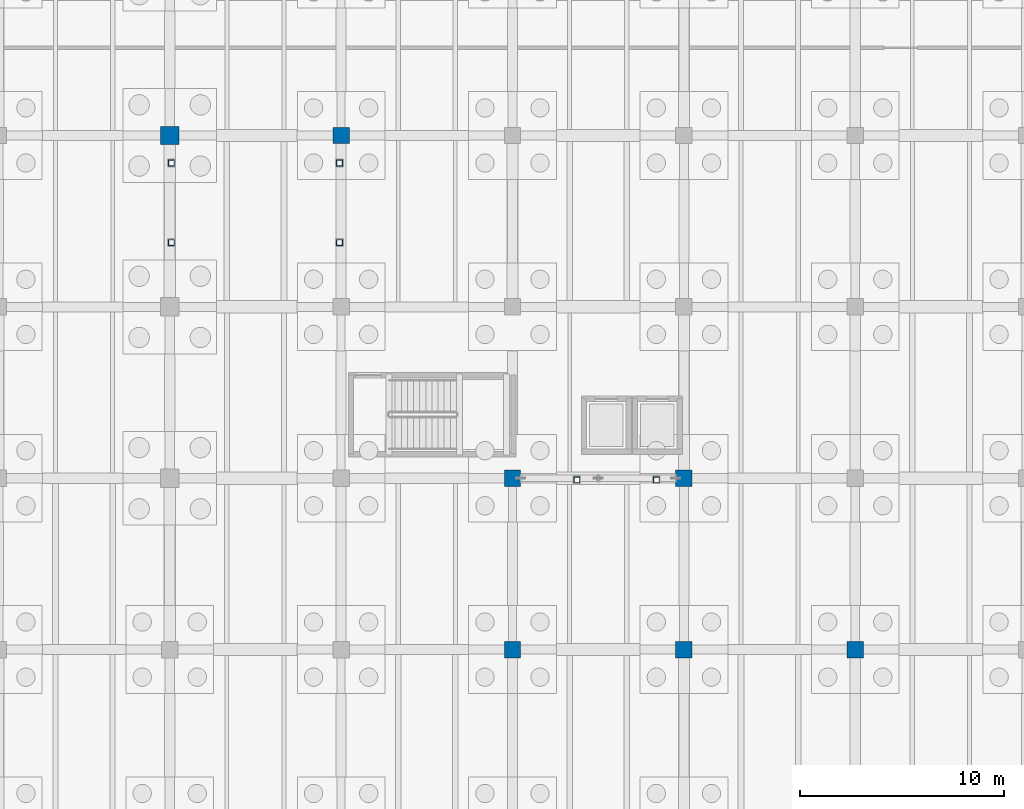
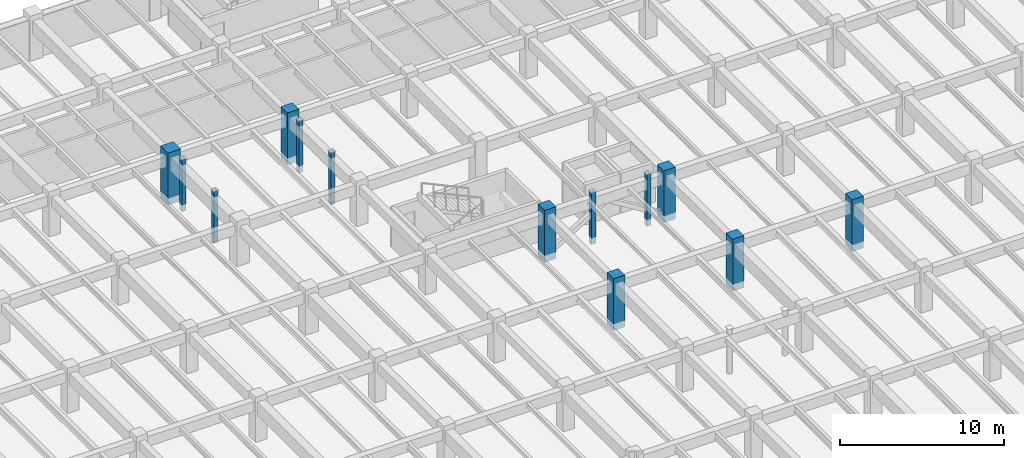
# One storey, part 20 of 70: 13 columns.
"""IFC4 building model written with IfcOpenShell, lengths in metres."""

from ifc_helpers import new_model, si_unit, direction, frame, origin, origin_2d, place, context, subcontext, project, spatial, rectangle, hollow_rectangle, extrude, material, material_profile, profile_set, type_object, element, save


model = new_model("IFC4")

# Units and contexts
model_context = context("Model", 3, precision=1e-05, world=origin(), true_north=direction((0.0, 1.0)))
body_context = subcontext(model_context, "Body", "Model", "MODEL_VIEW")
ifc_project = project(units=[si_unit("LENGTHUNIT", "METRE"), si_unit("AREAUNIT", "SQUARE_METRE"), si_unit("VOLUMEUNIT", "CUBIC_METRE"), si_unit("PLANEANGLEUNIT", "RADIAN"), si_unit("MASSUNIT", "GRAM", prefix="KILO")], contexts=[model_context])

# Site, building, storey
site_placement = place(None, origin())
site = spatial("IfcSite", under=ifc_project, at=site_placement, CompositionType="ELEMENT")
building_placement = place(site_placement, origin())
building = spatial("IfcBuilding", under=site, at=building_placement, Name="Cumbredor Promenade Congress Hotel", CompositionType="ELEMENT")
storey_placement = place(building_placement, frame((0.0, 0.0, -7.56005859375)))
storey = spatial("IfcBuildingStorey", under=building, at=storey_placement, Name="B02", CompositionType="ELEMENT", Elevation=-7.56005859375)

# Columns
ifc_material_1 = material(Name="Concrete C50/60", Category="concrete")
ifc_material_profile_1 = material_profile(ifc_material_1, rectangle(XDim=0.800048828125, YDim=0.800048828125, at=origin_2d()), Name="RC 800x800")
ifc_profile_set_1 = profile_set([ifc_material_profile_1], Name="Concrete C50/60")
column_type_1 = type_object("IfcColumnType", Name="COL-RC-800", PredefinedType="COLUMN", material=ifc_profile_set_1)
for number, where, z_axis, x_axis, name in (
    (1, (92.39990234375, 100.800048828125, -0.5), (0.0, 0.0, 1.0), (1.0, 0.0, 0.0), "B02 Structural Column 153"),
    (2, (100.800048828125, 75.60009765625, -0.5), (0.0, 0.0, 1.0), (1.0, 0.0, 0.0), "B02 Structural Column 164"),
    (3, (100.800048828125, 84.0, -0.5), (0.0, 0.0, 1.0), (1.0, 0.0, 0.0), "B02 Structural Column 165"),
    (4, (109.199951171875, 75.60009765625, -0.5), (0.0, 0.0, 1.0), (1.0, 0.0, 0.0), "B02 Structural Column 178"),
    (5, (109.199951171875, 84.0, -0.5), (0.0, 0.0, 1.0), (1.0, 0.0, 0.0), "B02 Structural Column 179"),
    (6, (117.60009765625, 75.60009765625, -0.5), (0.0, 0.0, 1.0), (1.0, 0.0, 0.0), "B02 Structural Column 192"),
):
    element("IfcColumn", number, at=place(storey_placement, frame(where, z_axis=z_axis, x_axis=x_axis)), inside=storey, type_object=column_type_1, Name=name, PredefinedType="COLUMN", context=body_context, shape_type="SweptSolid", body=[
        extrude(rectangle(XDim=0.800048828125, YDim=0.800048828125, at=origin_2d()), origin(), (0.0, 0.0, 1.0), 3.860107421875),
    ])
ifc_material_profile_2 = material_profile(ifc_material_1, rectangle(XDim=0.89990234375, YDim=0.89990234375, at=origin_2d()), Name="RC 900x900")
ifc_profile_set_2 = profile_set([ifc_material_profile_2], Name="Concrete C50/60")
column_type_2 = type_object("IfcColumnType", Name="COL-RC-900", PredefinedType="COLUMN", material=ifc_profile_set_2)
column_placement = place(storey_placement, frame((84.0, 100.800048828125, -0.5), z_axis=(0.0, 0.0, 1.0), x_axis=(1.0, 0.0, 0.0)))
element("IfcColumn", 7, at=column_placement, inside=storey, type_object=column_type_2, Name="B02 Structural Column 139", PredefinedType="COLUMN", context=body_context, shape_type="SweptSolid", body=[
    extrude(rectangle(XDim=0.89990234375, YDim=0.89990234375, at=origin_2d()), origin(), (0.0, 0.0, 1.0), 3.860107421875),
])
ifc_material_2 = material(Name="Steel ASTM A500 Grade C", Category="steel")
ifc_material_profile_3 = material_profile(ifc_material_2, hollow_rectangle(XDim=0.300048828125, YDim=0.300048828125, WallThickness=0.01611328125, at=origin_2d()), Name="HSS 300x300x16")
ifc_profile_set_3 = profile_set([ifc_material_profile_3], Name="Steel ASTM A500 Grade C")
column_type_3 = type_object("IfcColumnType", Name="COL-STL-HSS300", PredefinedType="COLUMN", material=ifc_profile_set_3)
for number, where, z_axis, x_axis, name in (
    (8, (103.949951171875, 83.919921875, -0.5), (0.0, 0.0, 1.0), (1.0, 0.0, 0.0), "Central Reflecting-Pool Promenade Bridge B02 Substructure Pier 3"),
    (9, (107.85009765625, 83.919921875, -0.5), (0.0, 0.0, 1.0), (1.0, 0.0, 0.0), "Central Reflecting-Pool Promenade Bridge B02 Substructure Pier 4"),
    (10, (84.080078125, 95.550048828125, -0.5), (0.0, 0.0, 1.0), (1.0, 0.0, 0.0), "North Hotel-to-Forum Glazed Bridge B02 Substructure Pier 1"),
    (11, (84.080078125, 99.449951171875, -0.5), (0.0, 0.0, 1.0), (1.0, 0.0, 0.0), "North Hotel-to-Forum Glazed Bridge B02 Substructure Pier 2"),
    (12, (92.320068359375, 95.550048828125, -0.5), (0.0, 0.0, 1.0), (1.0, 0.0, 0.0), "North Hotel-to-Forum Glazed Bridge B02 Substructure Pier 3"),
    (13, (92.320068359375, 99.449951171875, -0.5), (0.0, 0.0, 1.0), (1.0, 0.0, 0.0), "North Hotel-to-Forum Glazed Bridge B02 Substructure Pier 4"),
):
    element("IfcColumn", number, at=place(storey_placement, frame(where, z_axis=z_axis, x_axis=x_axis)), inside=storey, type_object=column_type_3, Name=name, PredefinedType="COLUMN", context=body_context, shape_type="SweptSolid", body=[
        extrude(hollow_rectangle(XDim=0.300048828125, YDim=0.300048828125, WallThickness=0.01611328125, at=origin_2d()), origin(), (0.0, 0.0, 1.0), 3.860107421875),
    ])

save(model, "model.ifc")
